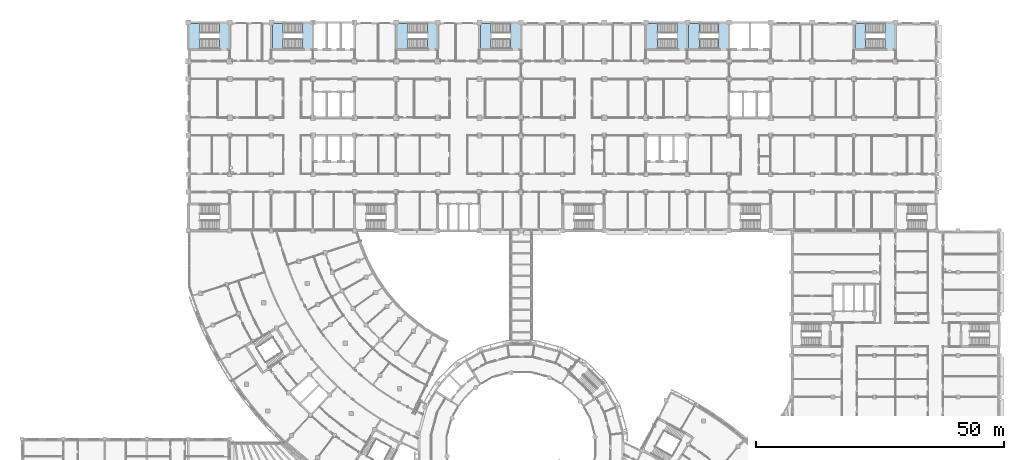
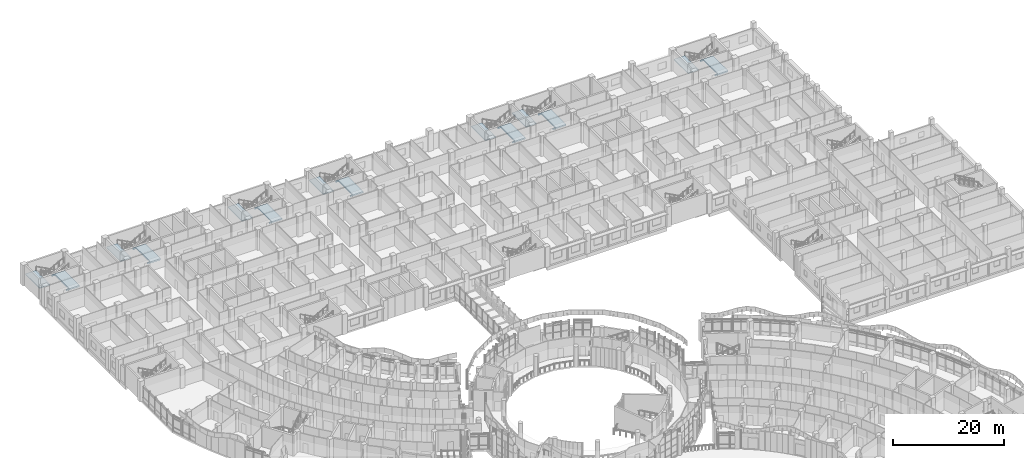
# One storey, part 54 of 136: 14 slabs, 7 elements without a shape of their own.
"""IFC4 building model written with IfcOpenShell, lengths in metres."""

from ifc_helpers import new_model, si_unit, direction, frame, origin, place, context, subcontext, project, spatial, polyline, outline, extrude, material, layer, layer_set, type_object, element, aggregate, save


model = new_model("IFC4")

# Units and contexts
model_context = context("Model", 3, precision=1e-05, world=origin(), true_north=direction((0.0, 1.0)))
body_context = subcontext(model_context, "Body", "Model", "MODEL_VIEW")
ifc_project = project(units=[si_unit("LENGTHUNIT", "METRE"), si_unit("AREAUNIT", "SQUARE_METRE"), si_unit("VOLUMEUNIT", "CUBIC_METRE"), si_unit("PLANEANGLEUNIT", "RADIAN"), si_unit("MASSUNIT", "GRAM", prefix="KILO")], contexts=[model_context])

# Site, building, storey
site_placement = place(None, origin())
site = spatial("IfcSite", under=ifc_project, at=site_placement, CompositionType="ELEMENT")
building_placement = place(site_placement, origin())
building = spatial("IfcBuilding", under=site, at=building_placement, Name="Bougainvillea Quay General Hospital", CompositionType="ELEMENT")
storey_placement = place(building_placement, frame((0.0, 0.0, 5.39990234375)))
storey = spatial("IfcBuildingStorey", under=building, at=storey_placement, Name="L01", CompositionType="ELEMENT", Elevation=5.39990234375)

# Slabs
ifc_material = material(Name="Concrete C35", Category="concrete")
ifc_layer_1 = layer(ifc_material, 0.300048828125)
ifc_layer_set_1 = layer_set([ifc_layer_1], Name="Concrete C35")
slab_type_1 = type_object("IfcSlabType", Name="RC FLAT SLAB 300 C35", PredefinedType="FLOOR", material=ifc_layer_set_1)
slab_1_placement = place(storey_placement, frame((0.0, 0.0, -0.2998046875)))
element("IfcSlab", 1, at=slab_1_placement, inside=storey, type_object=slab_type_1, Name="Stair landing floor ST-D1 L01", PredefinedType="FLOOR", context=body_context, shape_type="SweptSolid", body=[
    extrude(outline(polyline([(64.5029296875, 159.48388671875), (64.511474609375, 159.5419921875), (64.52587890625, 159.599609375), (67.199951171875, 159.60009765625), (67.199951171875, 154.199951171875), (64.52587890625, 154.200439453125), (64.511474609375, 154.2578125), (64.5029296875, 154.316162109375), (64.5, 154.3740234375), (65.1005859375, 154.374267578125), (65.1005859375, 159.425537109375), (64.5, 159.426025390625), (64.5029296875, 159.48388671875)])), origin(), (0.0, 0.0, 1.0), 0.2998046875),
])
slab_2_placement = place(storey_placement, frame((0.0, 0.0, -0.2998046875)))
element("IfcSlab", 2, at=slab_2_placement, inside=storey, type_object=slab_type_1, Name="Stair landing floor ST-D3 L01", PredefinedType="FLOOR", context=body_context, shape_type="SweptSolid", body=[
    extrude(outline(polyline([(148.5029296875, 159.48388671875), (148.511474609375, 159.5419921875), (148.52587890625, 159.599609375), (151.199951171875, 159.60009765625), (151.199951171875, 154.199951171875), (148.52587890625, 154.200439453125), (148.511474609375, 154.2578125), (148.5029296875, 154.316162109375), (148.5, 154.3740234375), (149.1005859375, 154.374267578125), (149.1005859375, 159.425537109375), (148.5, 159.426025390625), (148.5029296875, 159.48388671875)])), origin(), (0.0, 0.0, 1.0), 0.2998046875),
])
slab_3_placement = place(storey_placement, frame((0.0, 0.0, -0.2998046875)))
element("IfcSlab", 3, at=slab_3_placement, inside=storey, type_object=slab_type_1, Name="Stair landing floor ST-A1 L01", PredefinedType="FLOOR", context=body_context, shape_type="SweptSolid", body=[
    extrude(outline(polyline([(47.702880859375, 159.48388671875), (47.71142578125, 159.5419921875), (47.725830078125, 159.599609375), (50.39990234375, 159.60009765625), (50.39990234375, 154.199951171875), (47.725830078125, 154.200439453125), (47.71142578125, 154.2578125), (47.702880859375, 154.316162109375), (47.699951171875, 154.3740234375), (48.300537109375, 154.374267578125), (48.300537109375, 159.425537109375), (47.699951171875, 159.426025390625), (47.702880859375, 159.48388671875)])), origin(), (0.0, 0.0, 1.0), 0.2998046875),
])
slab_4_placement = place(storey_placement, frame((0.0, 0.0, -0.2998046875)))
element("IfcSlab", 4, at=slab_4_placement, inside=storey, type_object=slab_type_1, Name="Stair landing floor ST-A2 L01", PredefinedType="FLOOR", context=body_context, shape_type="SweptSolid", body=[
    extrude(outline(polyline([(89.702880859375, 159.48388671875), (89.71142578125, 159.5419921875), (89.725830078125, 159.599609375), (92.39990234375, 159.60009765625), (92.39990234375, 154.199951171875), (89.725830078125, 154.200439453125), (89.71142578125, 154.2578125), (89.702880859375, 154.316162109375), (89.699951171875, 154.3740234375), (90.300537109375, 154.374267578125), (90.300537109375, 159.425537109375), (89.699951171875, 159.426025390625), (89.702880859375, 159.48388671875)])), origin(), (0.0, 0.0, 1.0), 0.2998046875),
])
slab_5_placement = place(storey_placement, frame((0.0, 0.0, -0.2998046875)))
element("IfcSlab", 5, at=slab_5_placement, inside=storey, type_object=slab_type_1, Name="Stair landing floor ST-A3 L01", PredefinedType="FLOOR", context=body_context, shape_type="SweptSolid", body=[
    extrude(outline(polyline([(140.102783203125, 159.48388671875), (140.111572265625, 159.5419921875), (140.1259765625, 159.599609375), (142.800048828125, 159.60009765625), (142.800048828125, 154.199951171875), (140.1259765625, 154.200439453125), (140.111572265625, 154.2578125), (140.102783203125, 154.316162109375), (140.10009765625, 154.3740234375), (140.70068359375, 154.374267578125), (140.70068359375, 159.425537109375), (140.10009765625, 159.426025390625), (140.102783203125, 159.48388671875)])), origin(), (0.0, 0.0, 1.0), 0.2998046875),
])
slab_6_placement = place(storey_placement, frame((0.0, 0.0, -0.2998046875)))
element("IfcSlab", 6, at=slab_6_placement, inside=storey, type_object=slab_type_1, Name="Stair landing floor ST-A4 L01", PredefinedType="FLOOR", context=body_context, shape_type="SweptSolid", body=[
    extrude(outline(polyline([(182.102783203125, 159.48388671875), (182.111572265625, 159.5419921875), (182.1259765625, 159.599609375), (184.800048828125, 159.60009765625), (184.800048828125, 154.199951171875), (182.1259765625, 154.200439453125), (182.111572265625, 154.2578125), (182.102783203125, 154.316162109375), (182.10009765625, 154.3740234375), (182.70068359375, 154.374267578125), (182.70068359375, 159.425537109375), (182.10009765625, 159.426025390625), (182.102783203125, 159.48388671875)])), origin(), (0.0, 0.0, 1.0), 0.2998046875),
])
slab_7_placement = place(storey_placement, frame((0.0, 0.0, -0.2998046875)))
element("IfcSlab", 7, at=slab_7_placement, inside=storey, type_object=slab_type_1, Name="Stair landing floor ST-A5 L01", PredefinedType="FLOOR", context=body_context, shape_type="SweptSolid", body=[
    extrude(outline(polyline([(106.5029296875, 159.48388671875), (106.511474609375, 159.5419921875), (106.52587890625, 159.599609375), (109.199951171875, 159.60009765625), (109.199951171875, 154.199951171875), (106.52587890625, 154.200439453125), (106.511474609375, 154.2578125), (106.5029296875, 154.316162109375), (106.5, 154.3740234375), (107.1005859375, 154.374267578125), (107.1005859375, 159.425537109375), (106.5, 159.426025390625), (106.5029296875, 159.48388671875)])), origin(), (0.0, 0.0, 1.0), 0.2998046875),
])

# Stair, slab
stair_type = type_object("IfcStairType", Name="Stair half-turn 1925 wide", PredefinedType="HALF_TURN_STAIR", material=ifc_material)
stair_1_placement = place(storey_placement, origin())
stair_1 = element("IfcStair", 8, at=stair_1_placement, inside=storey, type_object=stair_type, Name="L01 stair ST-D1", PredefinedType="HALF_TURN_STAIR")
ifc_layer_2 = layer(ifc_material, 0.199951171875)
ifc_layer_set_2 = layer_set([ifc_layer_2], Name="Concrete C35")
slab_type_2 = type_object("IfcSlabType", Name="Stair landing 200", PredefinedType="LANDING", material=ifc_layer_set_2)
slab_8_placement = place(storey_placement, frame((0.0, 0.0, 2.050048828125)))
slab_8 = element("IfcSlab", 9, at=slab_8_placement, type_object=slab_type_2, Name="ST-D1 landing 1", PredefinedType="LANDING", context=body_context, shape_type="SweptSolid", body=[
    extrude(outline(polyline([(61.179931640625, 159.425048828125), (58.97509765625, 159.425048828125), (58.97509765625, 154.375), (61.179931640625, 154.375), (61.179931640625, 159.425048828125)])), origin(), (0.0, 0.0, 1.0), 0.199951171875),
])
aggregate(stair_1, [slab_8])

stair_2_placement = place(storey_placement, origin())
stair_2 = element("IfcStair", 10, at=stair_2_placement, inside=storey, type_object=stair_type, Name="L01 stair ST-D3", PredefinedType="HALF_TURN_STAIR")
slab_9_placement = place(storey_placement, frame((0.0, 0.0, 2.050048828125)))
slab_9 = element("IfcSlab", 11, at=slab_9_placement, type_object=slab_type_2, Name="ST-D3 landing 1", PredefinedType="LANDING", context=body_context, shape_type="SweptSolid", body=[
    extrude(outline(polyline([(145.179931640625, 159.425048828125), (142.97509765625, 159.425048828125), (142.97509765625, 154.375), (145.179931640625, 154.375), (145.179931640625, 159.425048828125)])), origin(), (0.0, 0.0, 1.0), 0.199951171875),
])
aggregate(stair_2, [slab_9])

stair_3_placement = place(storey_placement, origin())
stair_3 = element("IfcStair", 12, at=stair_3_placement, inside=storey, type_object=stair_type, Name="L01 stair ST-A1", PredefinedType="HALF_TURN_STAIR")
slab_10_placement = place(storey_placement, frame((0.0, 0.0, 2.050048828125)))
slab_10 = element("IfcSlab", 13, at=slab_10_placement, type_object=slab_type_2, Name="ST-A1 landing 1", PredefinedType="LANDING", context=body_context, shape_type="SweptSolid", body=[
    extrude(outline(polyline([(44.3798828125, 159.425048828125), (42.175048828125, 159.425048828125), (42.175048828125, 154.375), (44.3798828125, 154.375), (44.3798828125, 159.425048828125)])), origin(), (0.0, 0.0, 1.0), 0.199951171875),
])
aggregate(stair_3, [slab_10])

stair_4_placement = place(storey_placement, origin())
stair_4 = element("IfcStair", 14, at=stair_4_placement, inside=storey, type_object=stair_type, Name="L01 stair ST-A2", PredefinedType="HALF_TURN_STAIR")
slab_11_placement = place(storey_placement, frame((0.0, 0.0, 2.050048828125)))
slab_11 = element("IfcSlab", 15, at=slab_11_placement, type_object=slab_type_2, Name="ST-A2 landing 1", PredefinedType="LANDING", context=body_context, shape_type="SweptSolid", body=[
    extrude(outline(polyline([(86.3798828125, 159.425048828125), (84.175048828125, 159.425048828125), (84.175048828125, 154.375), (86.3798828125, 154.375), (86.3798828125, 159.425048828125)])), origin(), (0.0, 0.0, 1.0), 0.199951171875),
])
aggregate(stair_4, [slab_11])

stair_5_placement = place(storey_placement, origin())
stair_5 = element("IfcStair", 16, at=stair_5_placement, inside=storey, type_object=stair_type, Name="L01 stair ST-A3", PredefinedType="HALF_TURN_STAIR")
slab_12_placement = place(storey_placement, frame((0.0, 0.0, 2.050048828125)))
slab_12 = element("IfcSlab", 17, at=slab_12_placement, type_object=slab_type_2, Name="ST-A3 landing 1", PredefinedType="LANDING", context=body_context, shape_type="SweptSolid", body=[
    extrude(outline(polyline([(136.780029296875, 159.425048828125), (134.574951171875, 159.425048828125), (134.574951171875, 154.375), (136.780029296875, 154.375), (136.780029296875, 159.425048828125)])), origin(), (0.0, 0.0, 1.0), 0.199951171875),
])
aggregate(stair_5, [slab_12])

stair_6_placement = place(storey_placement, origin())
stair_6 = element("IfcStair", 18, at=stair_6_placement, inside=storey, type_object=stair_type, Name="L01 stair ST-A4", PredefinedType="HALF_TURN_STAIR")
slab_13_placement = place(storey_placement, frame((0.0, 0.0, 2.050048828125)))
slab_13 = element("IfcSlab", 19, at=slab_13_placement, type_object=slab_type_2, Name="ST-A4 landing 1", PredefinedType="LANDING", context=body_context, shape_type="SweptSolid", body=[
    extrude(outline(polyline([(178.780029296875, 159.425048828125), (176.574951171875, 159.425048828125), (176.574951171875, 154.375), (178.780029296875, 154.375), (178.780029296875, 159.425048828125)])), origin(), (0.0, 0.0, 1.0), 0.199951171875),
])
aggregate(stair_6, [slab_13])

stair_7_placement = place(storey_placement, origin())
stair_7 = element("IfcStair", 20, at=stair_7_placement, inside=storey, type_object=stair_type, Name="L01 stair ST-A5", PredefinedType="HALF_TURN_STAIR")
slab_14_placement = place(storey_placement, frame((0.0, 0.0, 2.050048828125)))
slab_14 = element("IfcSlab", 21, at=slab_14_placement, type_object=slab_type_2, Name="ST-A5 landing 1", PredefinedType="LANDING", context=body_context, shape_type="SweptSolid", body=[
    extrude(outline(polyline([(103.179931640625, 159.425048828125), (100.97509765625, 159.425048828125), (100.97509765625, 154.375), (103.179931640625, 154.375), (103.179931640625, 159.425048828125)])), origin(), (0.0, 0.0, 1.0), 0.199951171875),
])
aggregate(stair_7, [slab_14])

save(model, "model.ifc")
